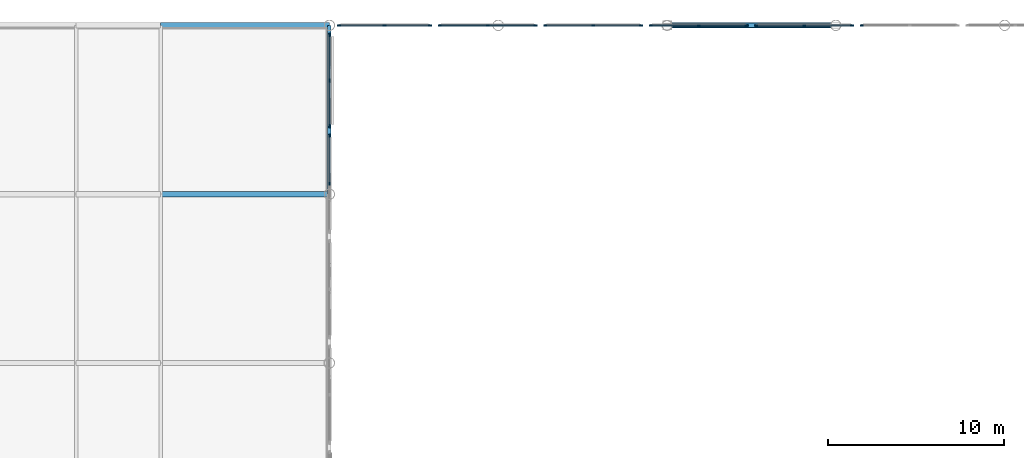
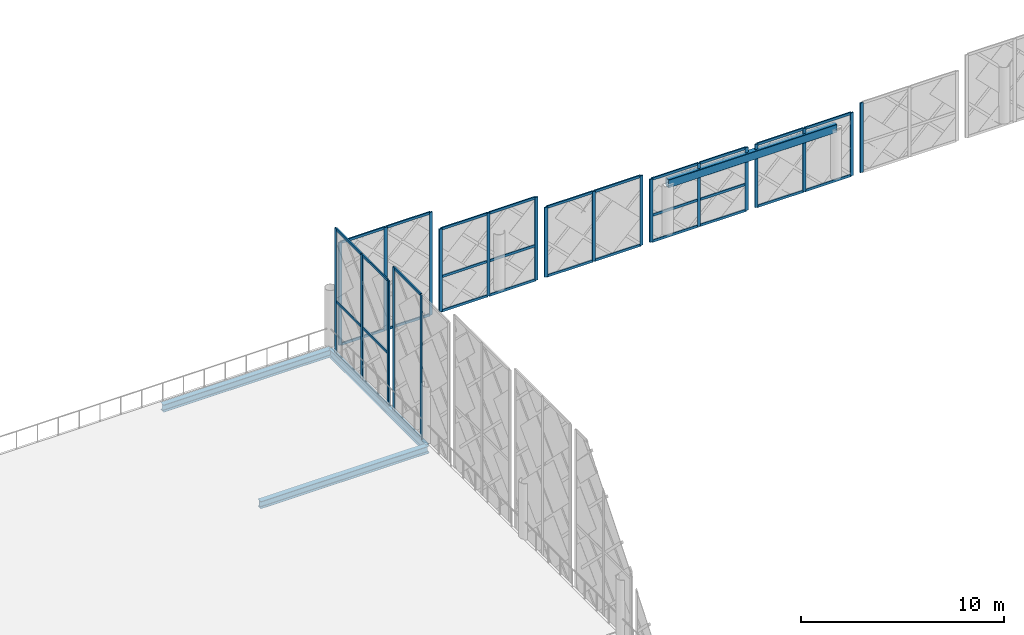
# One storey, part 22 of 53: 53 members, 4 beams, 8 elements without a shape of their own.
"""IFC4 building model written with IfcOpenShell, lengths in metres."""

from ifc_helpers import new_model, si_unit, direction, frame, origin, origin_2d, place, context, subcontext, project, spatial, rectangle, hollow_rectangle, i_section, extrude, material, layer, layer_set, material_profile, profile_set, type_object, element, aggregate, save


model = new_model("IFC4")

# Units and contexts
model_context = context("Model", 3, precision=1e-05, world=origin(), true_north=direction((0.0, 1.0)))
body_context = subcontext(model_context, "Body", "Model", "MODEL_VIEW")
ifc_project = project(units=[si_unit("LENGTHUNIT", "METRE"), si_unit("AREAUNIT", "SQUARE_METRE"), si_unit("VOLUMEUNIT", "CUBIC_METRE"), si_unit("PLANEANGLEUNIT", "RADIAN"), si_unit("MASSUNIT", "GRAM", prefix="KILO")], contexts=[model_context])

# Site, building, storey
site_placement = place(None, origin())
site = spatial("IfcSite", under=ifc_project, at=site_placement, CompositionType="ELEMENT")
building_placement = place(site_placement, origin())
building = spatial("IfcBuilding", under=site, at=building_placement, Name="Zevrakil Square Congress Hotel", CompositionType="ELEMENT")
storey_placement = place(building_placement, frame((0.0, 0.0, 14.699951171875)))
storey = spatial("IfcBuildingStorey", under=building, at=storey_placement, Name="L04", CompositionType="ELEMENT", Elevation=14.699951171875)

# Beams
ifc_material_1 = material(Name="Steel S355", Category="steel")
ifc_material_profile_1 = material_profile(ifc_material_1, i_section(OverallWidth=0.300048828125, OverallDepth=0.43994140625, WebThickness=0.011474609375, FlangeThickness=0.02099609375, FilletRadius=0.027099609375, at=origin_2d()), Name="HEA 450")
ifc_profile_set_1 = profile_set([ifc_material_profile_1], Name="Steel S355")
beam_type_1 = type_object("IfcBeamType", Name="BM-HEA450", PredefinedType="BEAM", material=ifc_profile_set_1)
for number, where, z_axis, x_axis, name in (
    (1, (108.0, 103.199951171875, -0.47998046875), (1.0, 0.0, 0.0), (0.0, 1.0, 0.0), "L04 primary girder BX-1264"),
    (2, (108.0, 112.800048828125, -0.47998046875), (1.0, 0.0, 0.0), (0.0, 1.0, 0.0), "L04 primary girder BX-1272"),
):
    element("IfcBeam", number, at=place(storey_placement, frame(where, z_axis=z_axis, x_axis=x_axis)), inside=storey, type_object=beam_type_1, Name=name, PredefinedType="BEAM", context=body_context, shape_type="SweptSolid", body=[
        extrude(i_section(OverallWidth=0.300048828125, OverallDepth=0.43994140625, WebThickness=0.011474609375, FlangeThickness=0.02099609375, FilletRadius=0.027099609375, at=origin_2d()), origin(), (0.0, 0.0, 1.0), 9.60009765625),
    ])
ifc_material_2 = material(Name="Steel S355", Category="steel")
ifc_material_profile_2 = material_profile(ifc_material_2, i_section(OverallWidth=0.199951171875, OverallDepth=0.5, WebThickness=0.01025390625, FlangeThickness=0.01611328125, FilletRadius=0.02099609375, at=origin_2d()), Name="IPE 500")
ifc_profile_set_2 = profile_set([ifc_material_profile_2], Name="Steel S355")
beam_type_2 = type_object("IfcBeamType", Name="BM-IPE500", PredefinedType="BEAM", material=ifc_profile_set_2)
beam_1_placement = place(storey_placement, frame((117.60009765625, 103.199951171875, -0.510009765625), z_axis=(0.0, 1.0, 0.0), x_axis=(-1.0, 0.0, 0.0)))
element("IfcBeam", 3, at=beam_1_placement, inside=storey, type_object=beam_type_2, Name="L04 primary girder BY-1351", PredefinedType="BEAM", context=body_context, shape_type="SweptSolid", body=[
    extrude(i_section(OverallWidth=0.199951171875, OverallDepth=0.5, WebThickness=0.01025390625, FlangeThickness=0.01611328125, FilletRadius=0.02099609375, at=origin_2d()), origin(), (0.0, 0.0, 1.0), 9.60009765625),
])

# Curtain wall, members
ifc_material_3 = material(Name="Aluminium Anodised Bronze", Category="aluminium")
ifc_layer = layer(ifc_material_3, 0.179931640625)
ifc_layer_set = layer_set([ifc_layer], Name="Aluminium Anodised Bronze")
curtain_wall_type = type_object("IfcCurtainWallType", Name="CW-L01-560", PredefinedType="USERDEFINED", material=ifc_layer_set)
curtain_wall_1_placement = place(storey_placement, origin())
curtain_wall_1 = element("IfcCurtainWall", 4, at=curtain_wall_1_placement, inside=storey, type_object=curtain_wall_type, Name="L04 diamond curtain wall CW-L04-0073", ObjectType="GLAZED CURTAIN WALL", PredefinedType="USERDEFINED")
ifc_material_4 = material(Name="Aluminium Anodised Bronze", Category="aluminium")
ifc_material_profile_3 = material_profile(ifc_material_4, rectangle(XDim=0.074951171875, YDim=0.14990234375, at=origin_2d()), Name="ALU 75x150")
ifc_profile_set_3 = profile_set([ifc_material_profile_3], Name="Aluminium Anodised Bronze")
member_type_1 = type_object("IfcMemberType", Name="CWM-ALU75x150", PredefinedType="USERDEFINED", material=ifc_profile_set_3)
member_1_placement = place(storey_placement, frame((117.60009765625, 103.830078125, -0.22998046875), z_axis=(0.0, 1.0, 0.0), x_axis=(-1.0, 0.0, 0.0)))
member_1 = element("IfcMember", 5, at=member_1_placement, type_object=member_type_1, Name="CW-08 transom 2.1", ObjectType="TRANSOM", PredefinedType="USERDEFINED", context=body_context, shape_type="SweptSolid", body=[
    extrude(rectangle(XDim=0.074951171875, YDim=0.14990234375, at=origin_2d()), origin(), (0.0, 0.0, 1.0), 2.659912109375),
])
member_2_placement = place(storey_placement, frame((117.60009765625, 103.830078125, 8.39111328125), z_axis=(0.0, 1.0, 0.0), x_axis=(-1.0, 0.0, 0.0)))
member_2 = element("IfcMember", 6, at=member_2_placement, type_object=member_type_1, Name="CW-08 transom 2.2", ObjectType="TRANSOM", PredefinedType="USERDEFINED", context=body_context, shape_type="SweptSolid", body=[
    extrude(rectangle(XDim=0.074951171875, YDim=0.14990234375, at=origin_2d()), origin(), (0.0, 0.0, 1.0), 2.659912109375),
])

curtain_wall_2_placement = place(storey_placement, origin())
curtain_wall_2 = element("IfcCurtainWall", 7, at=curtain_wall_2_placement, inside=storey, type_object=curtain_wall_type, Name="L04 diamond curtain wall CW-L04-0074", ObjectType="GLAZED CURTAIN WALL", PredefinedType="USERDEFINED")
member_3_placement = place(storey_placement, frame((117.60009765625, 107.110107421875, -0.22998046875), z_axis=(0.0, 1.0, 0.0), x_axis=(-1.0, 0.0, 0.0)))
member_3 = element("IfcMember", 8, at=member_3_placement, type_object=member_type_1, Name="CW-08 transom 1.1", ObjectType="TRANSOM", PredefinedType="USERDEFINED", context=body_context, shape_type="SweptSolid", body=[
    extrude(rectangle(XDim=0.074951171875, YDim=0.14990234375, at=origin_2d()), origin(), (0.0, 0.0, 1.0), 2.52490234375),
])
member_4_placement = place(storey_placement, frame((117.60009765625, 107.110107421875, 2.91357421875), z_axis=(0.0, 1.0, 0.0), x_axis=(-1.0, 0.0, 0.0)))
member_4 = element("IfcMember", 9, at=member_4_placement, type_object=member_type_1, Name="CW-08 transom 1.2", ObjectType="TRANSOM", PredefinedType="USERDEFINED", context=body_context, shape_type="SweptSolid", body=[
    extrude(rectangle(XDim=0.074951171875, YDim=0.14990234375, at=origin_2d()), origin(), (0.0, 0.0, 1.0), 2.52490234375),
])
member_5_placement = place(storey_placement, frame((117.60009765625, 107.110107421875, 7.26611328125), z_axis=(0.0, 1.0, 0.0), x_axis=(-1.0, 0.0, 0.0)))
member_5 = element("IfcMember", 10, at=member_5_placement, type_object=member_type_1, Name="CW-08 transom 1.3", ObjectType="TRANSOM", PredefinedType="USERDEFINED", context=body_context, shape_type="SweptSolid", body=[
    extrude(rectangle(XDim=0.074951171875, YDim=0.14990234375, at=origin_2d()), origin(), (0.0, 0.0, 1.0), 2.52490234375),
])
member_6_placement = place(storey_placement, frame((117.60009765625, 109.695068359375, -0.22998046875), z_axis=(0.0, 1.0, 0.0), x_axis=(-1.0, 0.0, 0.0)))
member_6 = element("IfcMember", 11, at=member_6_placement, type_object=member_type_1, Name="CW-08 transom 2.1", ObjectType="TRANSOM", PredefinedType="USERDEFINED", context=body_context, shape_type="SweptSolid", body=[
    extrude(rectangle(XDim=0.074951171875, YDim=0.14990234375, at=origin_2d()), origin(), (0.0, 0.0, 1.0), 2.52490234375),
])
member_7_placement = place(storey_placement, frame((117.60009765625, 109.695068359375, 2.91357421875), z_axis=(0.0, 1.0, 0.0), x_axis=(-1.0, 0.0, 0.0)))
member_7 = element("IfcMember", 12, at=member_7_placement, type_object=member_type_1, Name="CW-08 transom 2.2", ObjectType="TRANSOM", PredefinedType="USERDEFINED", context=body_context, shape_type="SweptSolid", body=[
    extrude(rectangle(XDim=0.074951171875, YDim=0.14990234375, at=origin_2d()), origin(), (0.0, 0.0, 1.0), 2.52490234375),
])
member_8_placement = place(storey_placement, frame((117.60009765625, 109.695068359375, 7.26611328125), z_axis=(0.0, 1.0, 0.0), x_axis=(-1.0, 0.0, 0.0)))
member_8 = element("IfcMember", 13, at=member_8_placement, type_object=member_type_1, Name="CW-08 transom 2.3", ObjectType="TRANSOM", PredefinedType="USERDEFINED", context=body_context, shape_type="SweptSolid", body=[
    extrude(rectangle(XDim=0.074951171875, YDim=0.14990234375, at=origin_2d()), origin(), (0.0, 0.0, 1.0), 2.52490234375),
])

curtain_wall_3_placement = place(storey_placement, origin())
curtain_wall_3 = element("IfcCurtainWall", 14, at=curtain_wall_3_placement, inside=storey, type_object=curtain_wall_type, Name="L04 diamond curtain wall CW-L04-0091", ObjectType="GLAZED CURTAIN WALL", PredefinedType="USERDEFINED")
member_9_placement = place(storey_placement, frame((118.179931640625, 112.800048828125, -0.22998046875), z_axis=(1.0, 0.0, 0.0), x_axis=(0.0, 1.0, 0.0)))
member_9 = element("IfcMember", 15, at=member_9_placement, type_object=member_type_1, Name="CW-08 transom 1.1", ObjectType="TRANSOM", PredefinedType="USERDEFINED", context=body_context, shape_type="SweptSolid", body=[
    extrude(rectangle(XDim=0.074951171875, YDim=0.14990234375, at=origin_2d()), origin(), (0.0, 0.0, 1.0), 2.525146484375),
])
member_10_placement = place(storey_placement, frame((118.179931640625, 112.800048828125, 5.91015625), z_axis=(1.0, 0.0, 0.0), x_axis=(0.0, 1.0, 0.0)))
member_10 = element("IfcMember", 16, at=member_10_placement, type_object=member_type_1, Name="CW-08 transom 1.2", ObjectType="TRANSOM", PredefinedType="USERDEFINED", context=body_context, shape_type="SweptSolid", body=[
    extrude(rectangle(XDim=0.074951171875, YDim=0.14990234375, at=origin_2d()), origin(), (0.0, 0.0, 1.0), 2.525146484375),
])
member_11_placement = place(storey_placement, frame((120.764892578125, 112.800048828125, -0.22998046875), z_axis=(1.0, 0.0, 0.0), x_axis=(0.0, 1.0, 0.0)))
member_11 = element("IfcMember", 17, at=member_11_placement, type_object=member_type_1, Name="CW-08 transom 2.1", ObjectType="TRANSOM", PredefinedType="USERDEFINED", context=body_context, shape_type="SweptSolid", body=[
    extrude(rectangle(XDim=0.074951171875, YDim=0.14990234375, at=origin_2d()), origin(), (0.0, 0.0, 1.0), 2.525146484375),
])
member_12_placement = place(storey_placement, frame((120.764892578125, 112.800048828125, 5.91015625), z_axis=(1.0, 0.0, 0.0), x_axis=(0.0, 1.0, 0.0)))
member_12 = element("IfcMember", 18, at=member_12_placement, type_object=member_type_1, Name="CW-08 transom 2.2", ObjectType="TRANSOM", PredefinedType="USERDEFINED", context=body_context, shape_type="SweptSolid", body=[
    extrude(rectangle(XDim=0.074951171875, YDim=0.14990234375, at=origin_2d()), origin(), (0.0, 0.0, 1.0), 2.525146484375),
])

curtain_wall_4_placement = place(storey_placement, origin())
curtain_wall_4 = element("IfcCurtainWall", 19, at=curtain_wall_4_placement, inside=storey, type_object=curtain_wall_type, Name="L04 diamond curtain wall CW-L04-0092", ObjectType="GLAZED CURTAIN WALL", PredefinedType="USERDEFINED")
member_13_placement = place(storey_placement, frame((123.909912109375, 112.800048828125, -0.22998046875), z_axis=(1.0, 0.0, 0.0), x_axis=(0.0, 1.0, 0.0)))
member_13 = element("IfcMember", 20, at=member_13_placement, type_object=member_type_1, Name="CW-08 transom 1.1", ObjectType="TRANSOM", PredefinedType="USERDEFINED", context=body_context, shape_type="SweptSolid", body=[
    extrude(rectangle(XDim=0.074951171875, YDim=0.14990234375, at=origin_2d()), origin(), (0.0, 0.0, 1.0), 2.66015625),
])
member_14_placement = place(storey_placement, frame((123.909912109375, 112.800048828125, 1.840087890625), z_axis=(1.0, 0.0, 0.0), x_axis=(0.0, 1.0, 0.0)))
member_14 = element("IfcMember", 21, at=member_14_placement, type_object=member_type_1, Name="CW-08 transom 1.2", ObjectType="TRANSOM", PredefinedType="USERDEFINED", context=body_context, shape_type="SweptSolid", body=[
    extrude(rectangle(XDim=0.074951171875, YDim=0.14990234375, at=origin_2d()), origin(), (0.0, 0.0, 1.0), 2.66015625),
])
member_15_placement = place(storey_placement, frame((123.909912109375, 112.800048828125, 4.7099609375), z_axis=(1.0, 0.0, 0.0), x_axis=(0.0, 1.0, 0.0)))
member_15 = element("IfcMember", 22, at=member_15_placement, type_object=member_type_1, Name="CW-08 transom 1.3", ObjectType="TRANSOM", PredefinedType="USERDEFINED", context=body_context, shape_type="SweptSolid", body=[
    extrude(rectangle(XDim=0.074951171875, YDim=0.14990234375, at=origin_2d()), origin(), (0.0, 0.0, 1.0), 2.66015625),
])
member_16_placement = place(storey_placement, frame((126.6298828125, 112.800048828125, -0.22998046875), z_axis=(1.0, 0.0, 0.0), x_axis=(0.0, 1.0, 0.0)))
member_16 = element("IfcMember", 23, at=member_16_placement, type_object=member_type_1, Name="CW-08 transom 2.1", ObjectType="TRANSOM", PredefinedType="USERDEFINED", context=body_context, shape_type="SweptSolid", body=[
    extrude(rectangle(XDim=0.074951171875, YDim=0.14990234375, at=origin_2d()), origin(), (0.0, 0.0, 1.0), 2.66015625),
])
member_17_placement = place(storey_placement, frame((126.6298828125, 112.800048828125, 1.840087890625), z_axis=(1.0, 0.0, 0.0), x_axis=(0.0, 1.0, 0.0)))
member_17 = element("IfcMember", 24, at=member_17_placement, type_object=member_type_1, Name="CW-08 transom 2.2", ObjectType="TRANSOM", PredefinedType="USERDEFINED", context=body_context, shape_type="SweptSolid", body=[
    extrude(rectangle(XDim=0.074951171875, YDim=0.14990234375, at=origin_2d()), origin(), (0.0, 0.0, 1.0), 2.66015625),
])
member_18_placement = place(storey_placement, frame((126.6298828125, 112.800048828125, 4.7099609375), z_axis=(1.0, 0.0, 0.0), x_axis=(0.0, 1.0, 0.0)))
member_18 = element("IfcMember", 25, at=member_18_placement, type_object=member_type_1, Name="CW-08 transom 2.3", ObjectType="TRANSOM", PredefinedType="USERDEFINED", context=body_context, shape_type="SweptSolid", body=[
    extrude(rectangle(XDim=0.074951171875, YDim=0.14990234375, at=origin_2d()), origin(), (0.0, 0.0, 1.0), 2.66015625),
])

curtain_wall_5_placement = place(storey_placement, origin())
curtain_wall_5 = element("IfcCurtainWall", 26, at=curtain_wall_5_placement, inside=storey, type_object=curtain_wall_type, Name="L04 diamond curtain wall CW-L04-0093", ObjectType="GLAZED CURTAIN WALL", PredefinedType="USERDEFINED")
member_19_placement = place(storey_placement, frame((129.909912109375, 112.800048828125, -0.22998046875), z_axis=(1.0, 0.0, 0.0), x_axis=(0.0, 1.0, 0.0)))
member_19 = element("IfcMember", 27, at=member_19_placement, type_object=member_type_1, Name="CW-08 transom 1.1", ObjectType="TRANSOM", PredefinedType="USERDEFINED", context=body_context, shape_type="SweptSolid", body=[
    extrude(rectangle(XDim=0.074951171875, YDim=0.14990234375, at=origin_2d()), origin(), (0.0, 0.0, 1.0), 2.66015625),
])
member_20_placement = place(storey_placement, frame((129.909912109375, 112.800048828125, 3.91015625), z_axis=(1.0, 0.0, 0.0), x_axis=(0.0, 1.0, 0.0)))
member_20 = element("IfcMember", 28, at=member_20_placement, type_object=member_type_1, Name="CW-08 transom 1.2", ObjectType="TRANSOM", PredefinedType="USERDEFINED", context=body_context, shape_type="SweptSolid", body=[
    extrude(rectangle(XDim=0.074951171875, YDim=0.14990234375, at=origin_2d()), origin(), (0.0, 0.0, 1.0), 2.66015625),
])
member_21_placement = place(storey_placement, frame((132.6298828125, 112.800048828125, -0.22998046875), z_axis=(1.0, 0.0, 0.0), x_axis=(0.0, 1.0, 0.0)))
member_21 = element("IfcMember", 29, at=member_21_placement, type_object=member_type_1, Name="CW-08 transom 2.1", ObjectType="TRANSOM", PredefinedType="USERDEFINED", context=body_context, shape_type="SweptSolid", body=[
    extrude(rectangle(XDim=0.074951171875, YDim=0.14990234375, at=origin_2d()), origin(), (0.0, 0.0, 1.0), 2.66015625),
])
member_22_placement = place(storey_placement, frame((132.6298828125, 112.800048828125, 3.91015625), z_axis=(1.0, 0.0, 0.0), x_axis=(0.0, 1.0, 0.0)))
member_22 = element("IfcMember", 30, at=member_22_placement, type_object=member_type_1, Name="CW-08 transom 2.2", ObjectType="TRANSOM", PredefinedType="USERDEFINED", context=body_context, shape_type="SweptSolid", body=[
    extrude(rectangle(XDim=0.074951171875, YDim=0.14990234375, at=origin_2d()), origin(), (0.0, 0.0, 1.0), 2.66015625),
])

curtain_wall_6_placement = place(storey_placement, origin())
curtain_wall_6 = element("IfcCurtainWall", 31, at=curtain_wall_6_placement, inside=storey, type_object=curtain_wall_type, Name="L04 diamond curtain wall CW-L04-0094", ObjectType="GLAZED CURTAIN WALL", PredefinedType="USERDEFINED")
member_23_placement = place(storey_placement, frame((135.909912109375, 112.800048828125, -0.22998046875), z_axis=(1.0, 0.0, 0.0), x_axis=(0.0, 1.0, 0.0)))
member_23 = element("IfcMember", 32, at=member_23_placement, type_object=member_type_1, Name="CW-08 transom 1.1", ObjectType="TRANSOM", PredefinedType="USERDEFINED", context=body_context, shape_type="SweptSolid", body=[
    extrude(rectangle(XDim=0.074951171875, YDim=0.14990234375, at=origin_2d()), origin(), (0.0, 0.0, 1.0), 2.66015625),
])
member_24_placement = place(storey_placement, frame((135.909912109375, 112.800048828125, 1.3359375), z_axis=(1.0, 0.0, 0.0), x_axis=(0.0, 1.0, 0.0)))
member_24 = element("IfcMember", 33, at=member_24_placement, type_object=member_type_1, Name="CW-08 transom 1.2", ObjectType="TRANSOM", PredefinedType="USERDEFINED", context=body_context, shape_type="SweptSolid", body=[
    extrude(rectangle(XDim=0.074951171875, YDim=0.14990234375, at=origin_2d()), origin(), (0.0, 0.0, 1.0), 2.66015625),
])
member_25_placement = place(storey_placement, frame((135.909912109375, 112.800048828125, 3.510009765625), z_axis=(1.0, 0.0, 0.0), x_axis=(0.0, 1.0, 0.0)))
member_25 = element("IfcMember", 34, at=member_25_placement, type_object=member_type_1, Name="CW-08 transom 1.3", ObjectType="TRANSOM", PredefinedType="USERDEFINED", context=body_context, shape_type="SweptSolid", body=[
    extrude(rectangle(XDim=0.074951171875, YDim=0.14990234375, at=origin_2d()), origin(), (0.0, 0.0, 1.0), 2.66015625),
])
member_26_placement = place(storey_placement, frame((138.6298828125, 112.800048828125, -0.22998046875), z_axis=(1.0, 0.0, 0.0), x_axis=(0.0, 1.0, 0.0)))
member_26 = element("IfcMember", 35, at=member_26_placement, type_object=member_type_1, Name="CW-08 transom 2.1", ObjectType="TRANSOM", PredefinedType="USERDEFINED", context=body_context, shape_type="SweptSolid", body=[
    extrude(rectangle(XDim=0.074951171875, YDim=0.14990234375, at=origin_2d()), origin(), (0.0, 0.0, 1.0), 2.66015625),
])
member_27_placement = place(storey_placement, frame((138.6298828125, 112.800048828125, 1.3359375), z_axis=(1.0, 0.0, 0.0), x_axis=(0.0, 1.0, 0.0)))
member_27 = element("IfcMember", 36, at=member_27_placement, type_object=member_type_1, Name="CW-08 transom 2.2", ObjectType="TRANSOM", PredefinedType="USERDEFINED", context=body_context, shape_type="SweptSolid", body=[
    extrude(rectangle(XDim=0.074951171875, YDim=0.14990234375, at=origin_2d()), origin(), (0.0, 0.0, 1.0), 2.66015625),
])
member_28_placement = place(storey_placement, frame((138.6298828125, 112.800048828125, 3.510009765625), z_axis=(1.0, 0.0, 0.0), x_axis=(0.0, 1.0, 0.0)))
member_28 = element("IfcMember", 37, at=member_28_placement, type_object=member_type_1, Name="CW-08 transom 2.3", ObjectType="TRANSOM", PredefinedType="USERDEFINED", context=body_context, shape_type="SweptSolid", body=[
    extrude(rectangle(XDim=0.074951171875, YDim=0.14990234375, at=origin_2d()), origin(), (0.0, 0.0, 1.0), 2.66015625),
])

curtain_wall_7_placement = place(storey_placement, origin())
curtain_wall_7 = element("IfcCurtainWall", 38, at=curtain_wall_7_placement, inside=storey, type_object=curtain_wall_type, Name="L04 diamond curtain wall CW-L04-0095", ObjectType="GLAZED CURTAIN WALL", PredefinedType="USERDEFINED")
member_29_placement = place(storey_placement, frame((141.909912109375, 112.800048828125, -0.22998046875), z_axis=(1.0, 0.0, 0.0), x_axis=(0.0, 1.0, 0.0)))
member_29 = element("IfcMember", 39, at=member_29_placement, type_object=member_type_1, Name="CW-08 transom 1.1", ObjectType="TRANSOM", PredefinedType="USERDEFINED", context=body_context, shape_type="SweptSolid", body=[
    extrude(rectangle(XDim=0.074951171875, YDim=0.14990234375, at=origin_2d()), origin(), (0.0, 0.0, 1.0), 2.66015625),
])
member_30_placement = place(storey_placement, frame((141.909912109375, 112.800048828125, 3.510009765625), z_axis=(1.0, 0.0, 0.0), x_axis=(0.0, 1.0, 0.0)))
member_30 = element("IfcMember", 40, at=member_30_placement, type_object=member_type_1, Name="CW-08 transom 1.2", ObjectType="TRANSOM", PredefinedType="USERDEFINED", context=body_context, shape_type="SweptSolid", body=[
    extrude(rectangle(XDim=0.074951171875, YDim=0.14990234375, at=origin_2d()), origin(), (0.0, 0.0, 1.0), 2.66015625),
])
member_31_placement = place(storey_placement, frame((144.6298828125, 112.800048828125, -0.22998046875), z_axis=(1.0, 0.0, 0.0), x_axis=(0.0, 1.0, 0.0)))
member_31 = element("IfcMember", 41, at=member_31_placement, type_object=member_type_1, Name="CW-08 transom 2.1", ObjectType="TRANSOM", PredefinedType="USERDEFINED", context=body_context, shape_type="SweptSolid", body=[
    extrude(rectangle(XDim=0.074951171875, YDim=0.14990234375, at=origin_2d()), origin(), (0.0, 0.0, 1.0), 2.66015625),
])
member_32_placement = place(storey_placement, frame((144.6298828125, 112.800048828125, 3.510009765625), z_axis=(1.0, 0.0, 0.0), x_axis=(0.0, 1.0, 0.0)))
member_32 = element("IfcMember", 42, at=member_32_placement, type_object=member_type_1, Name="CW-08 transom 2.2", ObjectType="TRANSOM", PredefinedType="USERDEFINED", context=body_context, shape_type="SweptSolid", body=[
    extrude(rectangle(XDim=0.074951171875, YDim=0.14990234375, at=origin_2d()), origin(), (0.0, 0.0, 1.0), 2.66015625),
])

# Member
ifc_material_5 = material(Name="Aluminium Anodised Bronze", Category="aluminium")
ifc_material_profile_4 = material_profile(ifc_material_5, rectangle(XDim=0.074951171875, YDim=0.179931640625, at=origin_2d()), Name="ALU 75x180")
ifc_profile_set_4 = profile_set([ifc_material_profile_4], Name="Aluminium Anodised Bronze")
member_type_2 = type_object("IfcMemberType", Name="CWM-ALU75x180", PredefinedType="MULLION", material=ifc_profile_set_4)
member_33_placement = place(storey_placement, frame((117.60009765625, 103.800048828125, -0.260009765625), z_axis=(0.0, 0.0, 1.0), x_axis=(-1.0, 0.0, 0.0)))
member_33 = element("IfcMember", 43, at=member_33_placement, type_object=member_type_2, Name="CW-08 mullion 2", PredefinedType="MULLION", context=body_context, shape_type="SweptSolid", body=[
    extrude(rectangle(XDim=0.074951171875, YDim=0.179931640625, at=origin_2d()), origin(), (0.0, 0.0, 1.0), 8.68115234375),
])

member_34_placement = place(storey_placement, frame((117.60009765625, 106.52001953125, -0.260009765625), z_axis=(0.0, 0.0, 1.0), x_axis=(-1.0, 0.0, 0.0)))
member_34 = element("IfcMember", 44, at=member_34_placement, type_object=member_type_2, Name="CW-08 mullion 3", PredefinedType="MULLION", context=body_context, shape_type="SweptSolid", body=[
    extrude(rectangle(XDim=0.074951171875, YDim=0.179931640625, at=origin_2d()), origin(), (0.0, 0.0, 1.0), 8.68115234375),
])

aggregate(curtain_wall_1, [member_33, member_34, member_1, member_2])

member_35_placement = place(storey_placement, frame((117.60009765625, 107.080078125, -0.260009765625), z_axis=(0.0, 0.0, 1.0), x_axis=(-1.0, 0.0, 0.0)))
member_35 = element("IfcMember", 45, at=member_35_placement, type_object=member_type_2, Name="CW-08 mullion 1", PredefinedType="MULLION", context=body_context, shape_type="SweptSolid", body=[
    extrude(rectangle(XDim=0.074951171875, YDim=0.179931640625, at=origin_2d()), origin(), (0.0, 0.0, 1.0), 7.55615234375),
])

member_36_placement = place(storey_placement, frame((117.60009765625, 109.6650390625, -0.260009765625), z_axis=(0.0, 0.0, 1.0), x_axis=(-1.0, 0.0, 0.0)))
member_36 = element("IfcMember", 46, at=member_36_placement, type_object=member_type_2, Name="CW-08 mullion 2", PredefinedType="MULLION", context=body_context, shape_type="SweptSolid", body=[
    extrude(rectangle(XDim=0.074951171875, YDim=0.179931640625, at=origin_2d()), origin(), (0.0, 0.0, 1.0), 7.55615234375),
])

member_37_placement = place(storey_placement, frame((117.60009765625, 112.25, -0.260009765625), z_axis=(0.0, 0.0, 1.0), x_axis=(-1.0, 0.0, 0.0)))
member_37 = element("IfcMember", 47, at=member_37_placement, type_object=member_type_2, Name="CW-08 mullion 3", PredefinedType="MULLION", context=body_context, shape_type="SweptSolid", body=[
    extrude(rectangle(XDim=0.074951171875, YDim=0.179931640625, at=origin_2d()), origin(), (0.0, 0.0, 1.0), 7.55615234375),
])

aggregate(curtain_wall_2, [member_35, member_36, member_37, member_3, member_4, member_5, member_6, member_7, member_8])

member_38_placement = place(storey_placement, frame((118.14990234375, 112.800048828125, -0.260009765625), z_axis=(0.0, 0.0, 1.0), x_axis=(0.0, 1.0, 0.0)))
member_38 = element("IfcMember", 48, at=member_38_placement, type_object=member_type_2, Name="CW-08 mullion 1", PredefinedType="MULLION", context=body_context, shape_type="SweptSolid", body=[
    extrude(rectangle(XDim=0.074951171875, YDim=0.179931640625, at=origin_2d()), origin(), (0.0, 0.0, 1.0), 6.199951171875),
])

member_39_placement = place(storey_placement, frame((120.735107421875, 112.800048828125, -0.260009765625), z_axis=(0.0, 0.0, 1.0), x_axis=(0.0, 1.0, 0.0)))
member_39 = element("IfcMember", 49, at=member_39_placement, type_object=member_type_2, Name="CW-08 mullion 2", PredefinedType="MULLION", context=body_context, shape_type="SweptSolid", body=[
    extrude(rectangle(XDim=0.074951171875, YDim=0.179931640625, at=origin_2d()), origin(), (0.0, 0.0, 1.0), 6.199951171875),
])

member_40_placement = place(storey_placement, frame((123.320068359375, 112.800048828125, -0.260009765625), z_axis=(0.0, 0.0, 1.0), x_axis=(0.0, 1.0, 0.0)))
member_40 = element("IfcMember", 50, at=member_40_placement, type_object=member_type_2, Name="CW-08 mullion 3", PredefinedType="MULLION", context=body_context, shape_type="SweptSolid", body=[
    extrude(rectangle(XDim=0.074951171875, YDim=0.179931640625, at=origin_2d()), origin(), (0.0, 0.0, 1.0), 6.199951171875),
])

aggregate(curtain_wall_3, [member_38, member_39, member_40, member_9, member_10, member_11, member_12])

member_41_placement = place(storey_placement, frame((123.8798828125, 112.800048828125, -0.260009765625), z_axis=(0.0, 0.0, 1.0), x_axis=(0.0, 1.0, 0.0)))
member_41 = element("IfcMember", 51, at=member_41_placement, type_object=member_type_2, Name="CW-08 mullion 1", PredefinedType="MULLION", context=body_context, shape_type="SweptSolid", body=[
    extrude(rectangle(XDim=0.074951171875, YDim=0.179931640625, at=origin_2d()), origin(), (0.0, 0.0, 1.0), 5.0),
])

member_42_placement = place(storey_placement, frame((126.60009765625, 112.800048828125, -0.260009765625), z_axis=(0.0, 0.0, 1.0), x_axis=(0.0, 1.0, 0.0)))
member_42 = element("IfcMember", 52, at=member_42_placement, type_object=member_type_2, Name="CW-08 mullion 2", PredefinedType="MULLION", context=body_context, shape_type="SweptSolid", body=[
    extrude(rectangle(XDim=0.074951171875, YDim=0.179931640625, at=origin_2d()), origin(), (0.0, 0.0, 1.0), 5.0),
])

member_43_placement = place(storey_placement, frame((129.320068359375, 112.800048828125, -0.260009765625), z_axis=(0.0, 0.0, 1.0), x_axis=(0.0, 1.0, 0.0)))
member_43 = element("IfcMember", 53, at=member_43_placement, type_object=member_type_2, Name="CW-08 mullion 3", PredefinedType="MULLION", context=body_context, shape_type="SweptSolid", body=[
    extrude(rectangle(XDim=0.074951171875, YDim=0.179931640625, at=origin_2d()), origin(), (0.0, 0.0, 1.0), 5.0),
])

aggregate(curtain_wall_4, [member_41, member_42, member_43, member_13, member_14, member_15, member_16, member_17, member_18])

member_44_placement = place(storey_placement, frame((129.8798828125, 112.800048828125, -0.260009765625), z_axis=(0.0, 0.0, 1.0), x_axis=(0.0, 1.0, 0.0)))
member_44 = element("IfcMember", 54, at=member_44_placement, type_object=member_type_2, Name="CW-08 mullion 1", PredefinedType="MULLION", context=body_context, shape_type="SweptSolid", body=[
    extrude(rectangle(XDim=0.074951171875, YDim=0.179931640625, at=origin_2d()), origin(), (0.0, 0.0, 1.0), 4.199951171875),
])

member_45_placement = place(storey_placement, frame((132.60009765625, 112.800048828125, -0.260009765625), z_axis=(0.0, 0.0, 1.0), x_axis=(0.0, 1.0, 0.0)))
member_45 = element("IfcMember", 55, at=member_45_placement, type_object=member_type_2, Name="CW-08 mullion 2", PredefinedType="MULLION", context=body_context, shape_type="SweptSolid", body=[
    extrude(rectangle(XDim=0.074951171875, YDim=0.179931640625, at=origin_2d()), origin(), (0.0, 0.0, 1.0), 4.199951171875),
])

member_46_placement = place(storey_placement, frame((135.320068359375, 112.800048828125, -0.260009765625), z_axis=(0.0, 0.0, 1.0), x_axis=(0.0, 1.0, 0.0)))
member_46 = element("IfcMember", 56, at=member_46_placement, type_object=member_type_2, Name="CW-08 mullion 3", PredefinedType="MULLION", context=body_context, shape_type="SweptSolid", body=[
    extrude(rectangle(XDim=0.074951171875, YDim=0.179931640625, at=origin_2d()), origin(), (0.0, 0.0, 1.0), 4.199951171875),
])

aggregate(curtain_wall_5, [member_44, member_45, member_46, member_19, member_20, member_21, member_22])

member_47_placement = place(storey_placement, frame((135.8798828125, 112.800048828125, -0.260009765625), z_axis=(0.0, 0.0, 1.0), x_axis=(0.0, 1.0, 0.0)))
member_47 = element("IfcMember", 57, at=member_47_placement, type_object=member_type_2, Name="CW-08 mullion 1", PredefinedType="MULLION", context=body_context, shape_type="SweptSolid", body=[
    extrude(rectangle(XDim=0.074951171875, YDim=0.179931640625, at=origin_2d()), origin(), (0.0, 0.0, 1.0), 3.800048828125),
])

member_48_placement = place(storey_placement, frame((138.60009765625, 112.800048828125, -0.260009765625), z_axis=(0.0, 0.0, 1.0), x_axis=(0.0, 1.0, 0.0)))
member_48 = element("IfcMember", 58, at=member_48_placement, type_object=member_type_2, Name="CW-08 mullion 2", PredefinedType="MULLION", context=body_context, shape_type="SweptSolid", body=[
    extrude(rectangle(XDim=0.074951171875, YDim=0.179931640625, at=origin_2d()), origin(), (0.0, 0.0, 1.0), 3.800048828125),
])

member_49_placement = place(storey_placement, frame((141.320068359375, 112.800048828125, -0.260009765625), z_axis=(0.0, 0.0, 1.0), x_axis=(0.0, 1.0, 0.0)))
member_49 = element("IfcMember", 59, at=member_49_placement, type_object=member_type_2, Name="CW-08 mullion 3", PredefinedType="MULLION", context=body_context, shape_type="SweptSolid", body=[
    extrude(rectangle(XDim=0.074951171875, YDim=0.179931640625, at=origin_2d()), origin(), (0.0, 0.0, 1.0), 3.800048828125),
])

aggregate(curtain_wall_6, [member_47, member_48, member_49, member_23, member_24, member_25, member_26, member_27, member_28])

member_50_placement = place(storey_placement, frame((141.8798828125, 112.800048828125, -0.260009765625), z_axis=(0.0, 0.0, 1.0), x_axis=(0.0, 1.0, 0.0)))
member_50 = element("IfcMember", 60, at=member_50_placement, type_object=member_type_2, Name="CW-08 mullion 1", PredefinedType="MULLION", context=body_context, shape_type="SweptSolid", body=[
    extrude(rectangle(XDim=0.074951171875, YDim=0.179931640625, at=origin_2d()), origin(), (0.0, 0.0, 1.0), 3.800048828125),
])

member_51_placement = place(storey_placement, frame((144.60009765625, 112.800048828125, -0.260009765625), z_axis=(0.0, 0.0, 1.0), x_axis=(0.0, 1.0, 0.0)))
member_51 = element("IfcMember", 61, at=member_51_placement, type_object=member_type_2, Name="CW-08 mullion 2", PredefinedType="MULLION", context=body_context, shape_type="SweptSolid", body=[
    extrude(rectangle(XDim=0.074951171875, YDim=0.179931640625, at=origin_2d()), origin(), (0.0, 0.0, 1.0), 3.800048828125),
])

member_52_placement = place(storey_placement, frame((147.320068359375, 112.800048828125, -0.260009765625), z_axis=(0.0, 0.0, 1.0), x_axis=(0.0, 1.0, 0.0)))
member_52 = element("IfcMember", 62, at=member_52_placement, type_object=member_type_2, Name="CW-08 mullion 3", PredefinedType="MULLION", context=body_context, shape_type="SweptSolid", body=[
    extrude(rectangle(XDim=0.074951171875, YDim=0.179931640625, at=origin_2d()), origin(), (0.0, 0.0, 1.0), 3.800048828125),
])

aggregate(curtain_wall_7, [member_50, member_51, member_52, member_29, member_30, member_31, member_32])

# Curtain wall, member
curtain_wall_8_placement = place(storey_placement, origin())
curtain_wall_8 = element("IfcCurtainWall", 63, at=curtain_wall_8_placement, inside=storey, type_object=curtain_wall_type, Name="L04 diamond curtain wall CW-L04-0096", ObjectType="GLAZED CURTAIN WALL", PredefinedType="USERDEFINED")
member_53_placement = place(storey_placement, frame((147.8798828125, 112.800048828125, -0.260009765625), z_axis=(0.0, 0.0, 1.0), x_axis=(0.0, 1.0, 0.0)))
member_53 = element("IfcMember", 64, at=member_53_placement, type_object=member_type_2, Name="CW-08 mullion 1", PredefinedType="MULLION", context=body_context, shape_type="SweptSolid", body=[
    extrude(rectangle(XDim=0.074951171875, YDim=0.179931640625, at=origin_2d()), origin(), (0.0, 0.0, 1.0), 4.199951171875),
])
aggregate(curtain_wall_8, [member_53])

# Beam
ifc_material_6 = material(Name="Steel S355", Category="steel")
ifc_material_profile_5 = material_profile(ifc_material_6, hollow_rectangle(XDim=0.300048828125, YDim=0.5, WallThickness=0.02001953125, InnerFilletRadius=0.02001953125, OuterFilletRadius=0.0400390625, at=origin_2d()), Name="RHS 500x300x20")
ifc_profile_set_5 = profile_set([ifc_material_profile_5], Name="Steel S355")
beam_type_3 = type_object("IfcBeamType", Name="RNG-RHS500", PredefinedType="USERDEFINED", material=ifc_profile_set_5)
beam_2_placement = place(storey_placement, frame((146.39990234375, 112.800048828125, 2.97802734375), z_axis=(-1.0, 0.0, 0.0), x_axis=(0.0, -1.0, 0.0)))
element("IfcBeam", 65, at=beam_2_placement, inside=storey, type_object=beam_type_3, Name="Congress Hall compression ring beam RB-13", ObjectType="RING BEAM", PredefinedType="USERDEFINED", context=body_context, shape_type="SweptSolid", body=[
    extrude(hollow_rectangle(XDim=0.300048828125, YDim=0.5, WallThickness=0.02001953125, InnerFilletRadius=0.02001953125, OuterFilletRadius=0.0400390625, at=origin_2d()), origin(), (0.0, 0.0, 1.0), 9.599853515625),
])

save(model, "model.ifc")
